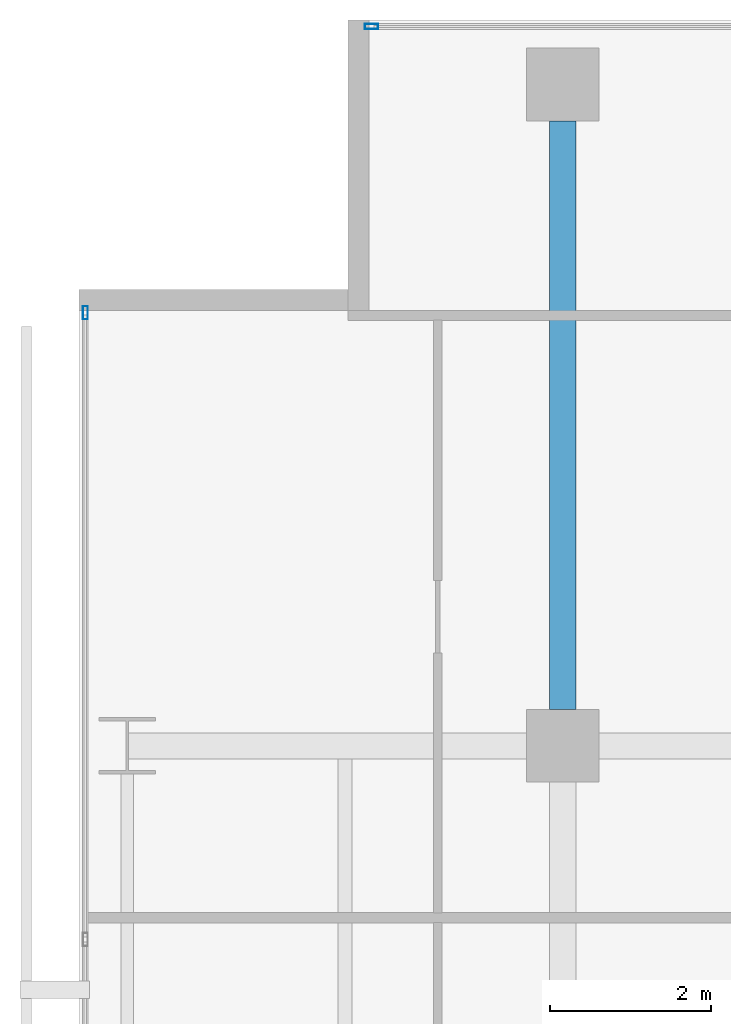
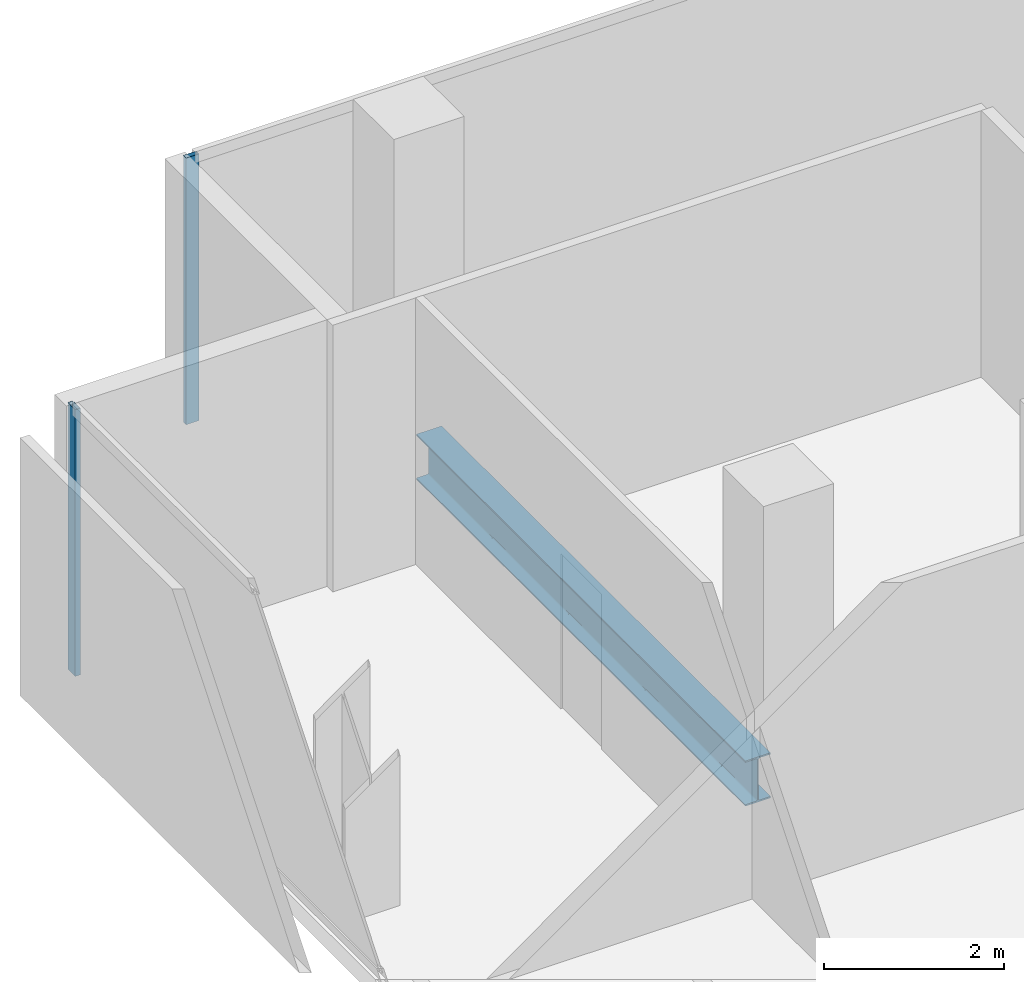
# One storey, part 25 of 40: 2 members, 1 beam, 2 elements without a shape of their own.
"""IFC4 building model written with IfcOpenShell, lengths in metres."""

from ifc_helpers import new_model, si_unit, direction, frame, origin, origin_2d, place, context, subcontext, project, spatial, hollow_rectangle, i_section, extrude, material, layer, layer_set, material_profile, profile_set, type_object, element, aggregate, save


model = new_model("IFC4")

# Units and contexts
model_context = context("Model", 3, precision=1e-05, world=origin(), true_north=direction((0.0, 1.0)))
body_context = subcontext(model_context, "Body", "Model", "MODEL_VIEW")
ifc_project = project(units=[si_unit("LENGTHUNIT", "METRE"), si_unit("AREAUNIT", "SQUARE_METRE"), si_unit("VOLUMEUNIT", "CUBIC_METRE"), si_unit("PLANEANGLEUNIT", "RADIAN"), si_unit("MASSUNIT", "GRAM", prefix="KILO")], contexts=[model_context])

# Site, building, storey
site_placement = place(None, origin())
site = spatial("IfcSite", under=ifc_project, at=site_placement, CompositionType="ELEMENT")
building_placement = place(site_placement, origin())
building = spatial("IfcBuilding", under=site, at=building_placement, Name="Maruvema Waterfront Hotel and Observation Tower", CompositionType="ELEMENT")
storey_placement = place(building_placement, frame((0.0, 0.0, 107.800048828125)))
storey = spatial("IfcBuildingStorey", under=building, at=storey_placement, Name="L26", CompositionType="ELEMENT", Elevation=107.800048828125)

# Curtain wall, member
ifc_material_1 = material(Name="Anodised bronze aluminium and solar-control low-E IGU", Category="aluminium")
ifc_layer = layer(ifc_material_1, 0.159912109375, Name="Zone 1 Bronze Inner Thermal Curtain Wall System CW-02")
ifc_layer_set = layer_set([ifc_layer], Name="Anodised bronze aluminium and solar-control low-E IGU")
curtain_wall_type = type_object("IfcCurtainWallType", Name="Zone 1 Bronze Inner Thermal Curtain Wall System CW-02", PredefinedType="USERDEFINED", material=ifc_layer_set)
curtain_wall_1_placement = place(storey_placement, origin())
curtain_wall_1 = element("IfcCurtainWall", 1, at=curtain_wall_1_placement, inside=storey, type_object=curtain_wall_type, Name="L26 Curtain Wall CW-L26-W", ObjectType="UNITISED CURTAIN WALL", PredefinedType="USERDEFINED")
ifc_material_2 = material(Name="Anodised architectural bronze aluminium", Category="aluminium")
ifc_material_profile_1 = material_profile(ifc_material_2, hollow_rectangle(XDim=0.06494140625, YDim=0.1650390625, WallThickness=0.00390625, at=origin_2d()), Name="ALU-M65x165")
ifc_profile_set_1 = profile_set([ifc_material_profile_1], Name="Anodised architectural bronze aluminium")
member_type = type_object("IfcMemberType", Name="Curtain Wall Primary Mullion ALU-M65x165", PredefinedType="MULLION", material=ifc_profile_set_1)
member_1_placement = place(storey_placement, frame((10.8798828125, 50.3701171875, 0.0), z_axis=(0.0, 0.0, 1.0), x_axis=(1.0, 0.0, 0.0)))
member_1 = element("IfcMember", 2, at=member_1_placement, type_object=member_type, Name="CW-02 mullion 1", PredefinedType="MULLION", context=body_context, shape_type="SweptSolid", body=[
    extrude(hollow_rectangle(XDim=0.06494140625, YDim=0.1650390625, WallThickness=0.00390625, at=origin_2d()), origin(), (0.0, 0.0, 1.0), 3.60986328125),
])
aggregate(curtain_wall_1, [member_1])

curtain_wall_2_placement = place(storey_placement, origin())
curtain_wall_2 = element("IfcCurtainWall", 3, at=curtain_wall_2_placement, inside=storey, type_object=curtain_wall_type, Name="L26 Curtain Wall CW-L26-NW", ObjectType="UNITISED CURTAIN WALL", PredefinedType="USERDEFINED")
member_2_placement = place(storey_placement, frame((14.429931640625, 53.919921875, 0.0), z_axis=(0.0, 0.0, 1.0), x_axis=(0.0, -1.0, 0.0)))
member_2 = element("IfcMember", 4, at=member_2_placement, type_object=member_type, Name="CW-02 mullion 2", PredefinedType="MULLION", context=body_context, shape_type="SweptSolid", body=[
    extrude(hollow_rectangle(XDim=0.06494140625, YDim=0.1650390625, WallThickness=0.00390625, at=origin_2d()), origin(), (0.0, 0.0, 1.0), 3.60986328125),
])
aggregate(curtain_wall_2, [member_2])

# Beam
ifc_material_3 = material(Name="Steel ASTM A572 Grade 50", Category="steel")
ifc_material_profile_2 = material_profile(ifc_material_3, i_section(OverallWidth=0.323974609375, OverallDepth=0.611083984375, WebThickness=0.0126953125, FlangeThickness=0.01904296875, FilletRadius=0.01806640625, at=origin_2d()), Name="W610x155.0")
ifc_profile_set_2 = profile_set([ifc_material_profile_2], Name="Steel ASTM A572 Grade 50")
beam_type = type_object("IfcBeamType", Name="Primary Floor Girder W610x155.0", PredefinedType="BEAM", material=ifc_profile_set_2)
beam_placement = place(storey_placement, frame((16.800048828125, 45.449951171875, -0.545654296875), z_axis=(0.0, 1.0, 0.0), x_axis=(-1.0, 0.0, 0.0)))
element("IfcBeam", 5, at=beam_placement, inside=storey, type_object=beam_type, Name="L26 Floor Girder NS-10", PredefinedType="BEAM", context=body_context, shape_type="SweptSolid", body=[
    extrude(i_section(OverallWidth=0.323974609375, OverallDepth=0.611083984375, WebThickness=0.0126953125, FlangeThickness=0.01904296875, FilletRadius=0.01806640625, at=origin_2d()), origin(), (0.0, 0.0, 1.0), 7.300048828125),
])

save(model, "model.ifc")
